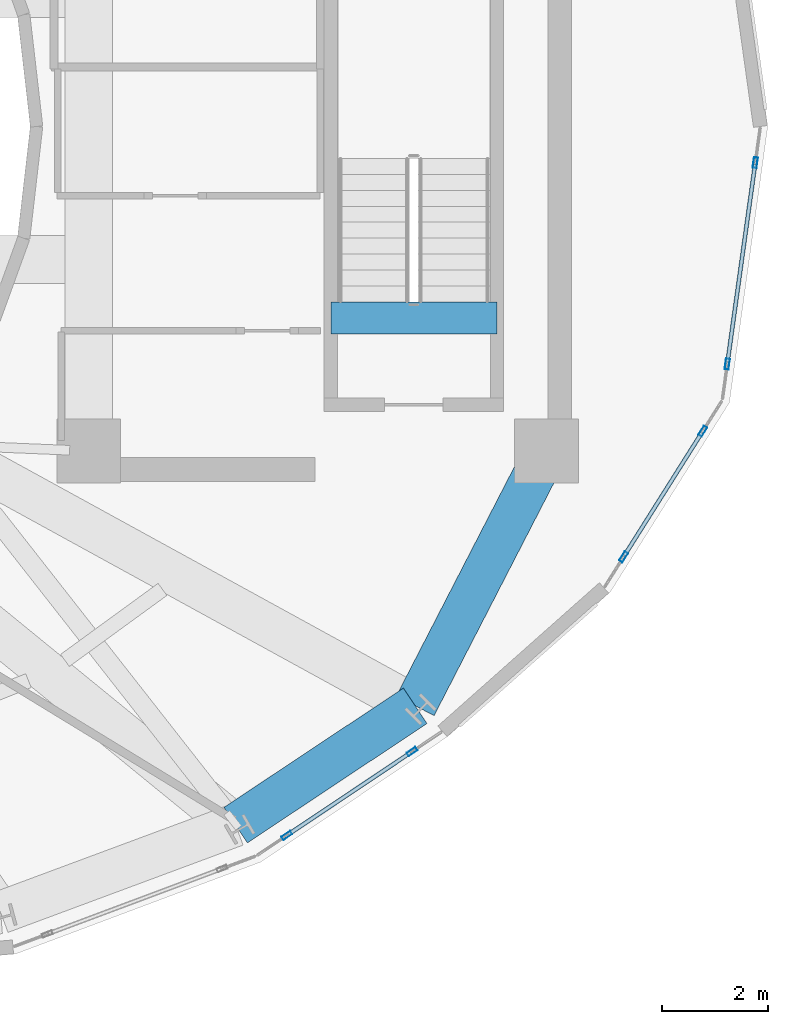
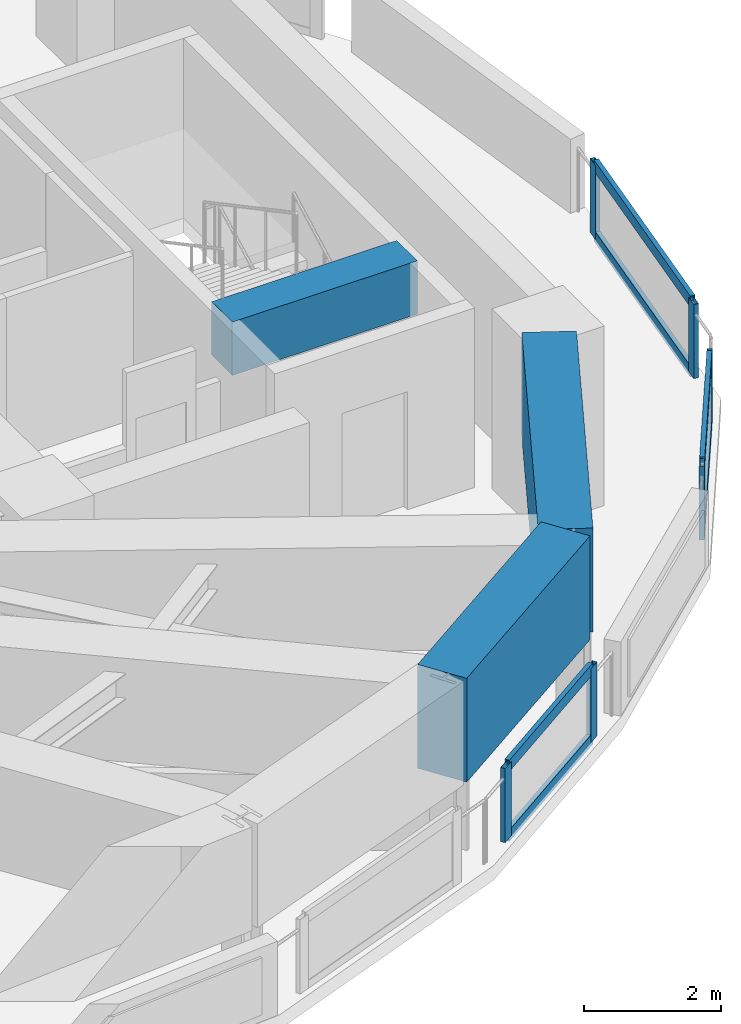
# One storey, part 11 of 18: 12 members, 3 beams, 3 elements without a shape of their own.
"""IFC4 building model written with IfcOpenShell, lengths in metres."""

from ifc_helpers import new_model, si_unit, direction, frame, origin, origin_2d, place, context, subcontext, project, spatial, rectangle, hollow_rectangle, extrude, material, layer, layer_set, material_profile, profile_set, type_object, element, aggregate, save


model = new_model("IFC4")

# Units and contexts
model_context = context("Model", 3, precision=1e-05, world=origin(), true_north=direction((0.0, 1.0)))
body_context = subcontext(model_context, "Body", "Model", "MODEL_VIEW")
ifc_project = project(units=[si_unit("LENGTHUNIT", "METRE"), si_unit("AREAUNIT", "SQUARE_METRE"), si_unit("VOLUMEUNIT", "CUBIC_METRE"), si_unit("PLANEANGLEUNIT", "RADIAN"), si_unit("MASSUNIT", "GRAM", prefix="KILO")], contexts=[model_context])

# Site, building, storey
site_placement = place(None, origin())
site = spatial("IfcSite", under=ifc_project, at=site_placement, CompositionType="ELEMENT")
building_placement = place(site_placement, origin())
building = spatial("IfcBuilding", under=site, at=building_placement, Name="Solvane Sanctuary Tower", CompositionType="ELEMENT")
storey_placement = place(building_placement, frame((0.0, 0.0, 263.60009765625)))
storey = spatial("IfcBuildingStorey", under=building, at=storey_placement, Name="L80", CompositionType="ELEMENT", Elevation=263.60009765625)

# Beams
ifc_material_1 = material(Name="Concrete C70/85", Category="concrete")
ifc_material_profile_1 = material_profile(ifc_material_1, rectangle(XDim=0.60009765625, YDim=0.949951171875, at=origin_2d()), Name="RC600X950")
ifc_profile_set_1 = profile_set([ifc_material_profile_1], Name="Concrete C70/85")
beam_type_1 = type_object("IfcBeamType", Name="Beam B-COUPLE RC600X950", PredefinedType="LINTEL", material=ifc_profile_set_1)
beam_1_placement = place(storey_placement, frame((44.64990234375, 19.399169921875, 2.724853515625), z_axis=(1.0, 0.0, 0.0), x_axis=(0.0, 1.0, 0.0)))
element("IfcBeam", 1, at=beam_1_placement, inside=storey, type_object=beam_type_1, Name="L80 ST-2 Stair Floor Landing Trimmer", PredefinedType="LINTEL", context=body_context, shape_type="SweptSolid", body=[
    extrude(rectangle(XDim=0.60009765625, YDim=0.949951171875, at=origin_2d()), origin(), (0.0, 0.0, 1.0), 3.1201171875),
])
ifc_material_profile_2 = material_profile(ifc_material_1, rectangle(XDim=0.800048828125, YDim=1.85009765625, at=origin_2d()), Name="RC800X1850")
ifc_profile_set_2 = profile_set([ifc_material_profile_2], Name="Concrete C70/85")
beam_type_2 = type_object("IfcBeamType", Name="Beam B-XFER-BLK RC800X1850", PredefinedType="BEAM", material=ifc_profile_set_2)
beam_2_placement = place(storey_placement, frame((42.860107421875, 9.870849609375, 2.27490234375), z_axis=(0.832902394686, 0.553419913742, 0.0), x_axis=(-0.553419913742, 0.832902394686, 0.0)))
element("IfcBeam", 2, at=beam_2_placement, inside=storey, type_object=beam_type_2, Name="L80 Perimeter Step Transfer Ring NTC13-NTC14", PredefinedType="BEAM", context=body_context, shape_type="SweptSolid", body=[
    extrude(rectangle(XDim=0.800048828125, YDim=1.85009765625, at=origin_2d()), origin(), (0.0, 0.0, 1.0), 4.050537109375),
])
beam_3_placement = place(storey_placement, frame((46.23388671875, 12.112548828125, 2.27490234375), z_axis=(0.457927504097, 0.888989539304, 0.0), x_axis=(-0.888989539304, 0.457927504097, 0.0)))
element("IfcBeam", 3, at=beam_3_placement, inside=storey, type_object=beam_type_2, Name="L80 Perimeter Step Transfer Ring NTC14-CE2", PredefinedType="BEAM", context=body_context, shape_type="SweptSolid", body=[
    extrude(rectangle(XDim=0.800048828125, YDim=1.85009765625, at=origin_2d()), origin(), (0.0, 0.0, 1.0), 5.025390625),
])

# Curtain wall, members
ifc_material_2 = material(Name="Anodised Aluminium 6063-T6", Category="aluminium")
ifc_layer = layer(ifc_material_2, 0.219970703125, Name="Anodised Aluminium 6063-T6")
ifc_layer_set = layer_set([ifc_layer], Name="Anodised Aluminium 6063-T6")
curtain_wall_type = type_object("IfcCurtainWallType", Name="Curtain Wall CW-CROWN", PredefinedType="NOTDEFINED", material=ifc_layer_set)
curtain_wall_1_placement = place(storey_placement, origin())
curtain_wall_1 = element("IfcCurtainWall", 4, at=curtain_wall_1_placement, inside=storey, type_object=curtain_wall_type, Name="L80 Crown Fritted Lantern Curtain Wall 20", PredefinedType="NOTDEFINED")
ifc_material_profile_3 = material_profile(ifc_material_2, hollow_rectangle(XDim=0.074951171875, YDim=0.199951171875, WallThickness=0.00390625, at=origin_2d()), Name="ALU200X75X4")
ifc_profile_set_3 = profile_set([ifc_material_profile_3], Name="Anodised Aluminium 6063-T6")
member_type_1 = type_object("IfcMemberType", Name="Member M-CW-MUL-1 ALU200X75X4", PredefinedType="MULLION", material=ifc_profile_set_3)
member_1_placement = place(storey_placement, frame((43.822265625, 9.677490234375, 0.0), z_axis=(0.0, 0.0, 1.0), x_axis=(-0.556279331945, 0.830995369933, 0.0)))
member_1 = element("IfcMember", 5, at=member_1_placement, type_object=member_type_1, Name="CW-CROWN mullion 1", PredefinedType="MULLION", context=body_context, shape_type="SweptSolid", body=[
    extrude(hollow_rectangle(XDim=0.074951171875, YDim=0.199951171875, WallThickness=0.00390625, at=origin_2d()), origin(), (0.0, 0.0, 1.0), 1.31982421875),
])
member_2_placement = place(storey_placement, frame((46.175048828125, 11.25244140625, 0.0), z_axis=(0.0, 0.0, 1.0), x_axis=(-0.556279331945, 0.830995369933, 0.0)))
member_2 = element("IfcMember", 6, at=member_2_placement, type_object=member_type_1, Name="CW-CROWN mullion 2", PredefinedType="MULLION", context=body_context, shape_type="SweptSolid", body=[
    extrude(hollow_rectangle(XDim=0.074951171875, YDim=0.199951171875, WallThickness=0.00390625, at=origin_2d()), origin(), (0.0, 0.0, 1.0), 1.31982421875),
])

curtain_wall_2_placement = place(storey_placement, origin())
curtain_wall_2 = element("IfcCurtainWall", 7, at=curtain_wall_2_placement, inside=storey, type_object=curtain_wall_type, Name="L80 Crown Fritted Lantern Curtain Wall 22", PredefinedType="NOTDEFINED")
member_3_placement = place(storey_placement, frame((50.14892578125, 14.910400390625, 0.0), z_axis=(0.0, 0.0, 1.0), x_axis=(-0.846086642635, 0.533045395022, 0.0)))
member_3 = element("IfcMember", 8, at=member_3_placement, type_object=member_type_1, Name="CW-CROWN mullion 1", PredefinedType="MULLION", context=body_context, shape_type="SweptSolid", body=[
    extrude(hollow_rectangle(XDim=0.074951171875, YDim=0.199951171875, WallThickness=0.00390625, at=origin_2d()), origin(), (0.0, 0.0, 1.0), 1.31982421875),
])
member_4_placement = place(storey_placement, frame((51.6376953125, 17.273193359375, 0.0), z_axis=(0.0, 0.0, 1.0), x_axis=(-0.846086642635, 0.533045395022, 0.0)))
member_4 = element("IfcMember", 9, at=member_4_placement, type_object=member_type_1, Name="CW-CROWN mullion 2", PredefinedType="MULLION", context=body_context, shape_type="SweptSolid", body=[
    extrude(hollow_rectangle(XDim=0.074951171875, YDim=0.199951171875, WallThickness=0.00390625, at=origin_2d()), origin(), (0.0, 0.0, 1.0), 1.31982421875),
])

curtain_wall_3_placement = place(storey_placement, origin())
curtain_wall_3 = element("IfcCurtainWall", 10, at=curtain_wall_3_placement, inside=storey, type_object=curtain_wall_type, Name="L80 Crown Fritted Lantern Curtain Wall 23", PredefinedType="NOTDEFINED")
member_5_placement = place(storey_placement, frame((52.098876953125, 18.535888671875, 0.0), z_axis=(0.0, 0.0, 1.0), x_axis=(-0.990459006249, 0.13780768099, 0.0)))
member_5 = element("IfcMember", 11, at=member_5_placement, type_object=member_type_1, Name="CW-CROWN mullion 1", PredefinedType="MULLION", context=body_context, shape_type="SweptSolid", body=[
    extrude(hollow_rectangle(XDim=0.074951171875, YDim=0.199951171875, WallThickness=0.00390625, at=origin_2d()), origin(), (0.0, 0.0, 1.0), 1.31982421875),
])
member_6_placement = place(storey_placement, frame((52.625244140625, 22.319091796875, 0.0), z_axis=(0.0, 0.0, 1.0), x_axis=(-0.990459006249, 0.13780768099, 0.0)))
member_6 = element("IfcMember", 12, at=member_6_placement, type_object=member_type_1, Name="CW-CROWN mullion 2", PredefinedType="MULLION", context=body_context, shape_type="SweptSolid", body=[
    extrude(hollow_rectangle(XDim=0.074951171875, YDim=0.199951171875, WallThickness=0.00390625, at=origin_2d()), origin(), (0.0, 0.0, 1.0), 1.31982421875),
])

# Member
ifc_material_profile_4 = material_profile(ifc_material_2, hollow_rectangle(XDim=0.074951171875, YDim=0.199951171875, WallThickness=0.00390625, at=origin_2d()), Name="ALU200X75X4")
ifc_profile_set_4 = profile_set([ifc_material_profile_4], Name="Anodised Aluminium 6063-T6")
member_type_2 = type_object("IfcMemberType", Name="Member M-CW-TRN-2 ALU200X75X4", PredefinedType="USERDEFINED", material=ifc_profile_set_4)
member_7_placement = place(storey_placement, frame((43.853515625, 9.6982421875, 0.037353515625), z_axis=(0.830972250361, 0.556313867461, 0.0), x_axis=(-0.556313867461, 0.830972250361, 0.0)))
member_7 = element("IfcMember", 13, at=member_7_placement, type_object=member_type_2, Name="CW-CROWN transom 1.1", ObjectType="TRANSOM", PredefinedType="USERDEFINED", context=body_context, shape_type="SweptSolid", body=[
    extrude(hollow_rectangle(XDim=0.074951171875, YDim=0.199951171875, WallThickness=0.00390625, at=origin_2d()), origin(), (0.0, 0.0, 1.0), 2.75634765625),
])

member_8_placement = place(storey_placement, frame((43.853515625, 9.6982421875, 1.282470703125), z_axis=(0.830972250361, 0.556313867461, 0.0), x_axis=(-0.556313867461, 0.830972250361, 0.0)))
member_8 = element("IfcMember", 14, at=member_8_placement, type_object=member_type_2, Name="CW-CROWN transom 1.2", ObjectType="TRANSOM", PredefinedType="USERDEFINED", context=body_context, shape_type="SweptSolid", body=[
    extrude(hollow_rectangle(XDim=0.074951171875, YDim=0.199951171875, WallThickness=0.00390625, at=origin_2d()), origin(), (0.0, 0.0, 1.0), 2.75634765625),
])

aggregate(curtain_wall_1, [member_1, member_2, member_7, member_8])

member_9_placement = place(storey_placement, frame((50.1689453125, 14.942138671875, 0.037353515625), z_axis=(0.533080100401, 0.846064776808, 0.0), x_axis=(-0.846064776808, 0.533080100401, 0.0)))
member_9 = element("IfcMember", 15, at=member_9_placement, type_object=member_type_2, Name="CW-CROWN transom 1.1", ObjectType="TRANSOM", PredefinedType="USERDEFINED", context=body_context, shape_type="SweptSolid", body=[
    extrude(hollow_rectangle(XDim=0.074951171875, YDim=0.199951171875, WallThickness=0.00390625, at=origin_2d()), origin(), (0.0, 0.0, 1.0), 2.7177734375),
])

member_10_placement = place(storey_placement, frame((50.1689453125, 14.942138671875, 1.282470703125), z_axis=(0.533080100401, 0.846064776808, 0.0), x_axis=(-0.846064776808, 0.533080100401, 0.0)))
member_10 = element("IfcMember", 16, at=member_10_placement, type_object=member_type_2, Name="CW-CROWN transom 1.2", ObjectType="TRANSOM", PredefinedType="USERDEFINED", context=body_context, shape_type="SweptSolid", body=[
    extrude(hollow_rectangle(XDim=0.074951171875, YDim=0.199951171875, WallThickness=0.00390625, at=origin_2d()), origin(), (0.0, 0.0, 1.0), 2.7177734375),
])

aggregate(curtain_wall_2, [member_3, member_4, member_9, member_10])

member_11_placement = place(storey_placement, frame((52.10400390625, 18.572998046875, 0.037353515625), z_axis=(0.137824215094, 0.990456705633, 0.0), x_axis=(-0.990456705633, 0.137824215094, 0.0)))
member_11 = element("IfcMember", 17, at=member_11_placement, type_object=member_type_2, Name="CW-CROWN transom 1.1", ObjectType="TRANSOM", PredefinedType="USERDEFINED", context=body_context, shape_type="SweptSolid", body=[
    extrude(hollow_rectangle(XDim=0.074951171875, YDim=0.199951171875, WallThickness=0.00390625, at=origin_2d()), origin(), (0.0, 0.0, 1.0), 3.74462890625),
])

member_12_placement = place(storey_placement, frame((52.10400390625, 18.572998046875, 1.282470703125), z_axis=(0.137824215094, 0.990456705633, 0.0), x_axis=(-0.990456705633, 0.137824215094, 0.0)))
member_12 = element("IfcMember", 18, at=member_12_placement, type_object=member_type_2, Name="CW-CROWN transom 1.2", ObjectType="TRANSOM", PredefinedType="USERDEFINED", context=body_context, shape_type="SweptSolid", body=[
    extrude(hollow_rectangle(XDim=0.074951171875, YDim=0.199951171875, WallThickness=0.00390625, at=origin_2d()), origin(), (0.0, 0.0, 1.0), 3.74462890625),
])

aggregate(curtain_wall_3, [member_5, member_6, member_11, member_12])

save(model, "model.ifc")
